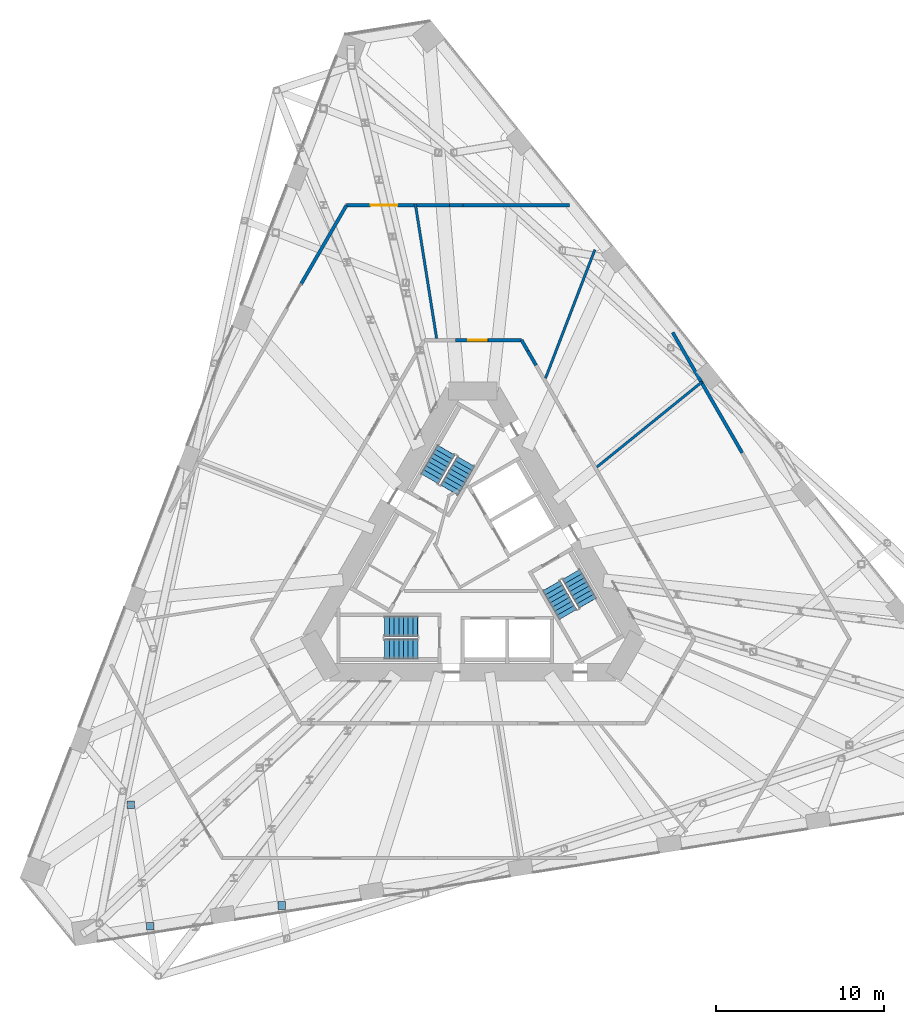
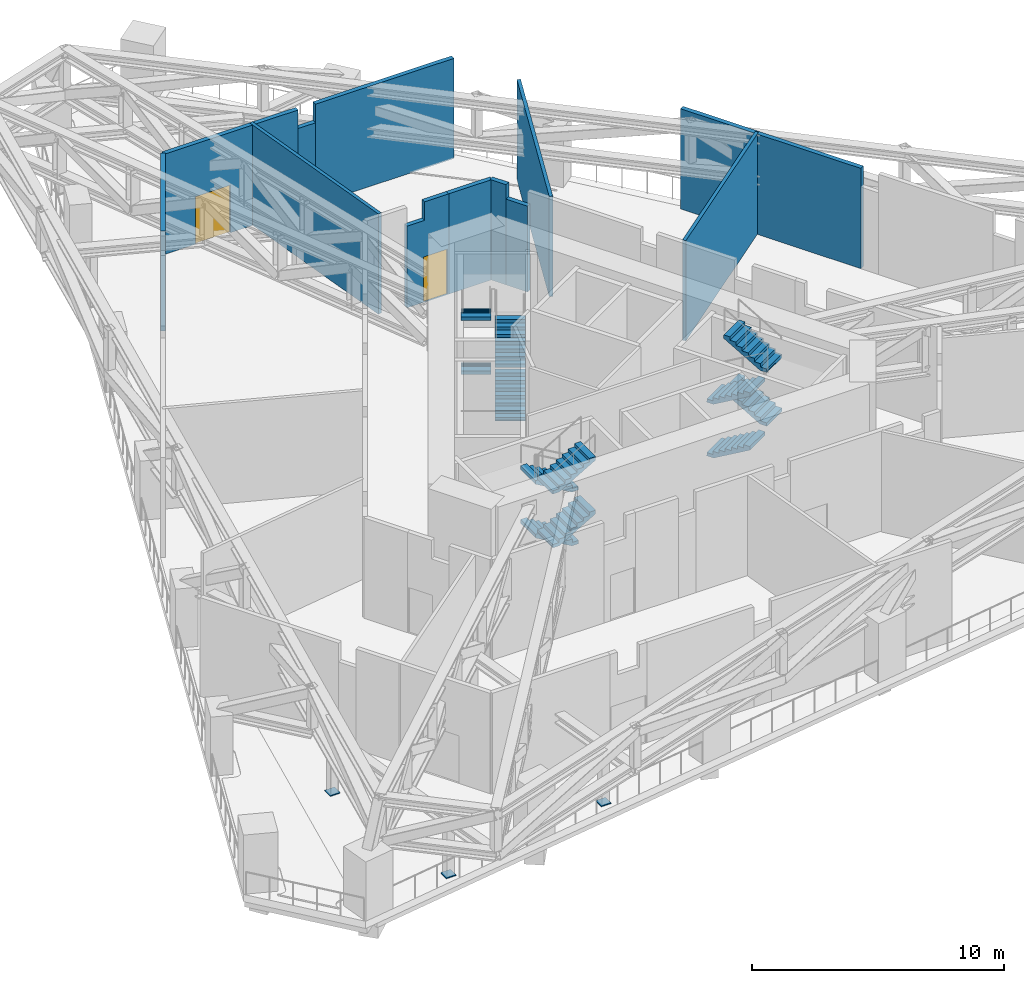
# One storey, part 13 of 20: 12 stair flights, 12 walls, 3 discrete accessories, 2 doors, 2 openings, 3 elements without a shape of their own.
"""IFC4 building model written with IfcOpenShell, lengths in metres."""

import ifcopenshell
import ifcopenshell.guid

model = None  # the IFC model being written
_history = None  # IfcOwnerHistory: only IFC2X3 demands one
_inside = {}  # id of a spatial element -> (the spatial element, [elements in it])
_under = {}  # id of a project, library or spatial element -> (it, [spatial elements below it])
_declared = {}  # id of a project -> (the project, [libraries it declares])
_typed = {}  # id of a type object -> (the type object, [elements of that type])
_made_of = {}  # id of a material, layer set ... -> (it, [elements and type objects made of it])


def new_model(schema):
    """Start an empty IFC model of exactly this schema.

    Asked for "IFC4X3", IfcOpenShell would pick the latest addendum, in which some entities
    have other attributes; the version numbers below select the first issue.
    IFC2X3 requires an IfcOwnerHistory on every rooted entity: one is made here for all.
    """
    global model, _history
    if schema == "IFC4X3":
        model = ifcopenshell.file(schema_version=(4, 3, 0, 0))
    else:
        model = ifcopenshell.file(schema=schema)
    _inside.clear()
    _under.clear()
    _declared.clear()
    _typed.clear()
    _made_of.clear()
    _history = None
    if model.schema == "IFC2X3":
        org = make("IfcOrganization", Name="unknown")
        user = make(
            "IfcPersonAndOrganization",
            ThePerson=make("IfcPerson", FamilyName="unknown"),
            TheOrganization=org,
        )
        app = make(
            "IfcApplication",
            ApplicationDeveloper=org,
            Version="unknown",
            ApplicationFullName="unknown",
            ApplicationIdentifier="unknown",
        )
        _history = make(
            "IfcOwnerHistory",
            OwningUser=user,
            OwningApplication=app,
            ChangeAction="ADDED",
            CreationDate=0,
        )
    return model


def make(cls, **values):
    """One entity of the class cls with the attributes given. An attribute that is None is left unset."""
    return model.create_entity(
        cls, **{name: value for name, value in values.items() if value is not None}
    )


def rooted(cls, **values):
    """An entity with a GlobalId (a new one), such as an element, a storey or a relation."""
    return make(cls, GlobalId=ifcopenshell.guid.new(), OwnerHistory=_history, **values)


def si_unit(unit_type, name, prefix=None):
    """IfcSIUnit, for example si_unit("LENGTHUNIT", "METRE", prefix="MILLI")."""
    return make("IfcSIUnit", UnitType=unit_type, Prefix=prefix, Name=name)


def assignment(units):
    """IfcUnitAssignment: the units of a project."""
    return None if units is None else make("IfcUnitAssignment", Units=units)


def point(xyz):
    """IfcCartesianPoint."""
    return None if xyz is None else make("IfcCartesianPoint", Coordinates=xyz)


def direction(xyz):
    """IfcDirection."""
    return None if xyz is None else make("IfcDirection", DirectionRatios=xyz)


def frame(location, z_axis=None, x_axis=None):
    """IfcAxis2Placement3D, a coordinate frame: its origin and axes. An axis left out is left unset."""
    return make(
        "IfcAxis2Placement3D",
        Location=point(location),
        Axis=direction(z_axis),
        RefDirection=direction(x_axis),
    )


def frame_2d(location, x_axis=None):
    """IfcAxis2Placement2D, a coordinate frame in the plane: its origin and x axis."""
    return make(
        "IfcAxis2Placement2D", Location=point(location), RefDirection=direction(x_axis)
    )


def origin():
    """The frame at (0, 0, 0) with its axes left unset."""
    return frame((0.0, 0.0, 0.0))


def origin_2d():
    """The frame at (0, 0) in the plane with its x axis left unset."""
    return frame_2d((0.0, 0.0))


def place(relative_to, where):
    """IfcLocalPlacement: puts the frame where relative to a parent placement (None: the world)."""
    return make(
        "IfcLocalPlacement", PlacementRelTo=relative_to, RelativePlacement=where
    )


def context(
    kind, dimensions, precision=None, world=None, true_north=None, identifier=None
):
    """IfcGeometricRepresentationContext, for example the 3D "Model" context."""
    return make(
        "IfcGeometricRepresentationContext",
        ContextIdentifier=identifier,
        ContextType=kind,
        CoordinateSpaceDimension=dimensions,
        Precision=precision,
        WorldCoordinateSystem=world,
        TrueNorth=true_north,
    )


def subcontext(parent, identifier, kind, view, scale=None):
    """IfcGeometricRepresentationSubContext, for example "Body" below "Model"."""
    return make(
        "IfcGeometricRepresentationSubContext",
        ContextIdentifier=identifier,
        ContextType=kind,
        ParentContext=parent,
        TargetScale=scale,
        TargetView=view,
    )


def project(units=None, contexts=None):
    """IfcProject with its units and contexts."""
    return rooted(
        "IfcProject",
        Name="project",
        RepresentationContexts=contexts,
        UnitsInContext=assignment(units),
    )


def spatial(cls, under=None, at=None, **own):
    """A site, building, storey or space (cls), placed at a placement, below another one or the project."""
    s = rooted(cls, ObjectPlacement=at, **own)
    if under is not None:
        _under.setdefault(under.id(), (under, []))[1].append(s)
    return s


def polyline(points):
    """IfcPolyline through the points."""
    return make("IfcPolyline", Points=[point(p) for p in points])


def profile(cls, at=None, kind="AREA", **sizes):
    """A parametric profile (cls). Its sizes go by their IFC names, for example OverallWidth=200.0."""
    return make(cls, ProfileType=kind, Position=at, **sizes)


def rectangle(**sizes):
    """IfcRectangleProfileDef."""
    return profile("IfcRectangleProfileDef", **sizes)


def outline(outer, holes=None, kind="AREA"):
    """IfcArbitraryClosedProfileDef: a profile drawn as a closed curve; with holes, ...WithVoids."""
    if holes is None:
        return make("IfcArbitraryClosedProfileDef", ProfileType=kind, OuterCurve=outer)
    return make(
        "IfcArbitraryProfileDefWithVoids",
        ProfileType=kind,
        OuterCurve=outer,
        InnerCurves=holes,
    )


def extrude(swept, where, along, depth):
    """IfcExtrudedAreaSolid: the profile swept, set in the frame where, extruded along a direction by depth."""
    return make(
        "IfcExtrudedAreaSolid",
        SweptArea=swept,
        Position=where,
        ExtrudedDirection=direction(along),
        Depth=depth,
    )


def shape(context_of_items, identifier, shape_type, items):
    """IfcShapeRepresentation: the items that make up one representation, for example the "Body"."""
    return make(
        "IfcShapeRepresentation",
        ContextOfItems=context_of_items,
        RepresentationIdentifier=identifier,
        RepresentationType=shape_type,
        Items=items,
    )


def material(Name=None, Category=None):
    """IfcMaterial."""
    return make("IfcMaterial", Name=Name, Category=Category)


def layer(
    of_material, thickness, ventilated=None, Name=None, Category=None, Priority=None
):
    """IfcMaterialLayer: one layer of a wall or slab, of a material (None: an air gap)."""
    return make(
        "IfcMaterialLayer",
        Material=of_material,
        LayerThickness=thickness,
        IsVentilated=ventilated,
        Name=Name,
        Category=Category,
        Priority=Priority,
    )


def layer_set(layers, Name=None):
    """IfcMaterialLayerSet."""
    return make("IfcMaterialLayerSet", MaterialLayers=layers, LayerSetName=Name)


def made_of(thing, what):
    """Note that an element or type object is made of a material, layer set ...; save() writes the relation."""
    if what is not None:
        _made_of.setdefault(what.id(), (what, []))[1].append(thing)
    return thing


def type_object(cls, material=None, **own):
    """A type object (cls), such as IfcWallType, which elements share."""
    return made_of(rooted(cls, **own), material)


def element(
    cls,
    number,
    at=None,
    inside=None,
    cuts=None,
    type_object=None,
    material=None,
    context=None,
    identifier="Body",
    shape_type=None,
    held_by="IfcProductDefinitionShape",
    body=None,
    shapes=None,
    **own,
):
    """One element of the class cls, such as IfcWall. Its Tag is "e" and its number.

    at: its placement. inside: the storey or other place that contains it. cuts: it is an
    opening in that element (IfcRelVoidsElement). A single representation is given by context,
    identifier, shape_type and body (its items); several are given by shapes. held_by: the class
    of the entity that holds the representations. save() writes the other relations.
    """
    e = rooted(cls, Tag="e%d" % number, ObjectPlacement=at, **own)
    if body is not None:
        shapes = [shape(context, identifier, shape_type, body)]
    if shapes is not None:
        e.Representation = make(held_by, Representations=shapes)
    if inside is not None:
        _inside.setdefault(inside.id(), (inside, []))[1].append(e)
    if cuts is not None:
        rooted(
            "IfcRelVoidsElement", RelatingBuildingElement=cuts, RelatedOpeningElement=e
        )
    if type_object is not None:
        _typed.setdefault(type_object.id(), (type_object, []))[1].append(e)
    return made_of(e, material)


def fill(opening, filler):
    """IfcRelFillsElement: the door or window that sits in an opening."""
    return rooted(
        "IfcRelFillsElement",
        RelatingOpeningElement=opening,
        RelatedBuildingElement=filler,
    )


def aggregate(whole, parts):
    """IfcRelAggregates: a whole, such as a stair, and the parts it consists of."""
    return rooted("IfcRelAggregates", RelatingObject=whole, RelatedObjects=parts)


def save(model, path):
    """Write the relations noted so far, then the file.

    IfcRelAggregates (storeys below a building ...), IfcRelContainedInSpatialStructure (elements
    in a storey), IfcRelDefinesByType, IfcRelAssociatesMaterial and IfcRelDeclares: one each for
    every whole, place, type object, material and project.
    """
    for whole, parts in _under.values():
        aggregate(whole, parts)
    for where, things in _inside.values():
        rooted(
            "IfcRelContainedInSpatialStructure",
            RelatedElements=things,
            RelatingStructure=where,
        )
    for kind, things in _typed.values():
        rooted("IfcRelDefinesByType", RelatedObjects=things, RelatingType=kind)
    for what, things in _made_of.values():
        rooted("IfcRelAssociatesMaterial", RelatedObjects=things, RelatingMaterial=what)
    for by, libraries in _declared.values():
        rooted("IfcRelDeclares", RelatingContext=by, RelatedDefinitions=libraries)
    model.write(path)


model = new_model("IFC4")

# Units and contexts
model_context = context("Model", 3, precision=1e-05, world=origin(), true_north=direction((0.0, 1.0)))
body_context = subcontext(model_context, "Body", "Model", "MODEL_VIEW")
ifc_project = project(units=[si_unit("LENGTHUNIT", "METRE"), si_unit("AREAUNIT", "SQUARE_METRE"), si_unit("VOLUMEUNIT", "CUBIC_METRE"), si_unit("PLANEANGLEUNIT", "RADIAN"), si_unit("MASSUNIT", "GRAM", prefix="KILO")], contexts=[model_context])

# Site, building, storey
site_placement = place(None, origin())
site = spatial("IfcSite", under=ifc_project, at=site_placement, CompositionType="ELEMENT")
building_placement = place(site_placement, origin())
building = spatial("IfcBuilding", under=site, at=building_placement, Name="Tramontana Tower", CompositionType="ELEMENT")
storey_placement = place(building_placement, frame((0.0, 0.0, 83.199951171875)))
storey = spatial("IfcBuildingStorey", under=building, at=storey_placement, Name="L18", CompositionType="ELEMENT", Elevation=83.199951171875)

# Walls
ifc_material_1 = material(Name="Blockwork", Category="masonry")
ifc_layer_1 = layer(ifc_material_1, 0.199951171875)
ifc_layer_set_1 = layer_set([ifc_layer_1], Name="ENCLOSURE WALL 200")
wall_type_1 = type_object("IfcWallType", Name="ENCLOSURE WALL 200", PredefinedType="SOLIDWALL", material=ifc_layer_set_1)
wall_1_placement = place(storey_placement, frame((11.863037109375, 13.95263671875, 0.0), z_axis=(0.0, 0.0, 1.0), x_axis=(0.500010949126, -0.866019082211, 0.0)))
element("IfcWall", 1, at=wall_1_placement, inside=storey, type_object=wall_type_1, Name="Wall enc0-0", PredefinedType="SOLIDWALL", context=body_context, shape_type="SweptSolid", body=[
    extrude(rectangle(XDim=8.253173828125, YDim=0.199951171875, at=frame_2d((4.12646484375, 0.0))), origin(), (0.0, 0.0, 1.0), 4.85009765625),
])
wall_2_placement = place(storey_placement, frame((-10.193603515625, 16.843994140625, 0.0), z_axis=(0.0, 0.0, 1.0), x_axis=(0.499977964579, 0.866038125567, 0.0)))
element("IfcWall", 2, at=wall_2_placement, inside=storey, type_object=wall_type_1, Name="Wall enc4-4", PredefinedType="SOLIDWALL", context=body_context, shape_type="SweptSolid", body=[
    extrude(rectangle(XDim=5.376220703125, YDim=0.199951171875, at=frame_2d((2.68798828125, 0.0))), origin(), (0.0, 0.0, 1.0), 4.85009765625),
])

# Wall, opening, door
wall_3_placement = place(storey_placement, frame((-7.505615234375, 21.5, 0.0), z_axis=(0.0, 0.0, 1.0), x_axis=(1.0, 0.0, 0.0)))
wall_3 = element("IfcWall", 3, at=wall_3_placement, inside=storey, type_object=wall_type_1, Name="Wall enc5-0", PredefinedType="SOLIDWALL", context=body_context, shape_type="SweptSolid", body=[
    extrude(rectangle(XDim=6.120361328125, YDim=0.199951171875, at=frame_2d((3.06005859375, 0.0))), origin(), (0.0, 0.0, 1.0), 4.85009765625),
])
opening_1_placement = place(wall_3_placement, frame((1.42724609375, 0.0, 0.0)))
opening_1 = element("IfcOpeningElement", 4, at=opening_1_placement, cuts=wall_3, Name="Opening L18-11", PredefinedType="OPENING", context=body_context, shape_type="SweptSolid", body=[
    extrude(rectangle(XDim=1.60009765625, YDim=2.300048828125, at=frame_2d((0.800048828125, 1.14990234375))), frame((0.0, 0.10986328125, 0.0), z_axis=(0.0, -1.0, 0.0), x_axis=(1.0, 0.0, 0.0)), (0.0, 0.0, 1.0), 0.219970703125),
])
ifc_material_2 = material(Name="Painted timber", Category="wood")
door_type_1 = type_object("IfcDoorType", Name="DOOR WIDE 1600", OperationType="SINGLE_SWING_LEFT", PredefinedType="DOOR", material=ifc_material_2)
door_1_placement = place(opening_1_placement, origin())
door_1 = element("IfcDoor", 5, at=door_1_placement, inside=storey, type_object=door_type_1, Name="Door L18-11", OperationType="DOUBLE_DOOR_SINGLE_SWING", OverallHeight=2.300048828125, OverallWidth=1.60009765625, PredefinedType="DOOR", context=body_context, shape_type="SweptSolid", body=[
    extrude(rectangle(XDim=1.60009765625, YDim=2.300048828125, at=frame_2d((0.800048828125, 1.14990234375))), frame((0.0, 0.02490234375, 0.0), z_axis=(0.0, -1.0, 0.0), x_axis=(1.0, 0.0, 0.0)), (0.0, 0.0, 1.0), 0.050048828125),
])
fill(opening_1, door_1)

# Walls
wall_4_placement = place(storey_placement, frame((-1.38525390625, 21.5, 0.0), z_axis=(0.0, 0.0, 1.0), x_axis=(1.0, 0.0, 0.0)))
element("IfcWall", 6, at=wall_4_placement, inside=storey, type_object=wall_type_1, Name="Wall enc5-1", PredefinedType="SOLIDWALL", context=body_context, shape_type="SweptSolid", body=[
    extrude(rectangle(XDim=0.80078125, YDim=0.199951171875, at=frame_2d((0.400390625, 0.0))), origin(), (0.0, 0.0, 1.0), 3.949951171875),
])
wall_5_placement = place(storey_placement, frame((-0.58447265625, 21.5, 0.0), z_axis=(0.0, 0.0, 1.0), x_axis=(1.0, 0.0, 0.0)))
element("IfcWall", 7, at=wall_5_placement, inside=storey, type_object=wall_type_1, Name="Wall enc5-2", PredefinedType="SOLIDWALL", context=body_context, shape_type="SweptSolid", body=[
    extrude(rectangle(XDim=6.335693359375, YDim=0.199951171875, at=frame_2d((3.16796875, 0.0))), origin(), (0.0, 0.0, 1.0), 4.85009765625),
])
ifc_material_3 = material(Name="Blockwork", Category="masonry")
ifc_layer_2 = layer(ifc_material_3, 0.199951171875)
ifc_layer_set_2 = layer_set([ifc_layer_2], Name="ENTRY WALL 200")
wall_type_2 = type_object("IfcWallType", Name="ENTRY WALL 200", PredefinedType="SOLIDWALL", material=ifc_layer_set_2)
wall_6_placement = place(storey_placement, frame((2.88671875, 13.5, 0.0), z_axis=(0.0, 0.0, 1.0), x_axis=(0.499987686533, -0.866032512851, 0.0)))
element("IfcWall", 8, at=wall_6_placement, inside=storey, type_object=wall_type_2, Name="Wall ew0-0", PredefinedType="SOLIDWALL", context=body_context, shape_type="SweptSolid", body=[
    extrude(rectangle(XDim=0.74365234375, YDim=0.199951171875, at=frame_2d((0.371826171875, 0.0))), origin(), (0.0, 0.0, 1.0), 4.85009765625),
])
wall_7_placement = place(storey_placement, frame((3.258544921875, 12.85595703125, 0.0), z_axis=(0.0, 0.0, 1.0), x_axis=(0.500061185694, -0.865990075325, 0.0)))
element("IfcWall", 9, at=wall_7_placement, inside=storey, type_object=wall_type_2, Name="Wall ew0-1", PredefinedType="SOLIDWALL", context=body_context, shape_type="SweptSolid", body=[
    extrude(rectangle(XDim=0.9775390625, YDim=0.199951171875, at=frame_2d((0.48876953125, 0.0))), origin(), (0.0, 0.0, 1.0), 4.150146484375),
])

# Wall, opening, door
wall_8_placement = place(storey_placement, frame((-1.018798828125, 13.5, 0.0), z_axis=(0.0, 0.0, 1.0), x_axis=(1.0, 0.0, 0.0)))
wall_8 = element("IfcWall", 10, at=wall_8_placement, inside=storey, type_object=wall_type_2, Name="Wall ew5-1", PredefinedType="SOLIDWALL", context=body_context, shape_type="SweptSolid", body=[
    extrude(outline(polyline([(0.0, 0.0), (1.904296875, 0.0), (1.904541015625, 4.85009765625), (0.80078125, 4.85009765625), (0.80078125, 3.949951171875), (0.0, 3.949951171875), (0.0, 0.0)])), frame((0.0, 0.10009765625, 0.0), z_axis=(0.0, -1.0, 0.0), x_axis=(1.0, 0.0, 0.0)), (0.0, 0.0, 1.0), 0.199951171875),
])
opening_2_placement = place(wall_8_placement, frame((0.75439453125, 0.0, 0.0)))
opening_2 = element("IfcOpeningElement", 11, at=opening_2_placement, cuts=wall_8, Name="Opening L18-09", PredefinedType="OPENING", context=body_context, shape_type="SweptSolid", body=[
    extrude(rectangle(XDim=1.10009765625, YDim=2.199951171875, at=frame_2d((0.550048828125, 1.10009765625))), frame((0.0, 0.10986328125, 0.0), z_axis=(0.0, -1.0, 0.0), x_axis=(1.0, 0.0, 0.0)), (0.0, 0.0, 1.0), 0.219970703125),
])
ifc_material_4 = material(Name="Painted steel", Category="steel")
door_type_2 = type_object("IfcDoorType", Name="PLANT DOOR 1100", OperationType="SINGLE_SWING_LEFT", PredefinedType="DOOR", material=ifc_material_4)
door_2_placement = place(opening_2_placement, origin())
door_2 = element("IfcDoor", 12, at=door_2_placement, inside=storey, type_object=door_type_2, Name="Door L18-09", OperationType="SINGLE_SWING_LEFT", OverallHeight=2.199951171875, OverallWidth=1.10009765625, PredefinedType="DOOR", context=body_context, shape_type="SweptSolid", body=[
    extrude(rectangle(XDim=1.10009765625, YDim=2.199951171875, at=frame_2d((0.550048828125, 1.10009765625))), frame((0.0, 0.02490234375, 0.0), z_axis=(0.0, -1.0, 0.0), x_axis=(1.0, 0.0, 0.0)), (0.0, 0.0, 1.0), 0.050048828125),
])
fill(opening_2, door_2)

# Walls
wall_9_placement = place(storey_placement, frame((0.885498046875, 13.5, 0.0), z_axis=(0.0, 0.0, 1.0), x_axis=(1.0, 0.0, 0.0)))
element("IfcWall", 13, at=wall_9_placement, inside=storey, type_object=wall_type_2, Name="Wall ew5-2", PredefinedType="SOLIDWALL", context=body_context, shape_type="SweptSolid", body=[
    extrude(rectangle(XDim=2.001220703125, YDim=0.199951171875, at=frame_2d((1.00048828125, 0.0))), origin(), (0.0, 0.0, 1.0), 4.85009765625),
])
ifc_material_5 = material(Name="Gypsum board partition")
ifc_layer_3 = layer(ifc_material_5, 0.14990234375)
ifc_layer_set_3 = layer_set([ifc_layer_3], Name="PARTITION 150")
wall_type_3 = type_object("IfcWallType", Name="PARTITION 150", PredefinedType="PARTITIONING", material=ifc_layer_set_3)
wall_10_placement = place(storey_placement, frame((-3.421142578125, 21.599853515625, 0.0), z_axis=(0.0, 0.0, 1.0), x_axis=(0.156440847234, -0.987687329734, 0.0)))
element("IfcWall", 14, at=wall_10_placement, inside=storey, type_object=wall_type_3, Name="Wall fw-pw03", PredefinedType="PARTITIONING", context=body_context, shape_type="SweptSolid", body=[
    extrude(rectangle(XDim=8.099365234375, YDim=0.14990234375, at=frame_2d((4.0498046875, 0.0))), origin(), (0.0, 0.0, 1.0), 4.85009765625),
])
wall_11_placement = place(storey_placement, frame((4.3115234375, 11.232177734375, 0.0), z_axis=(0.0, 0.0, 1.0), x_axis=(0.358390717166, 0.933571686508, 0.0)))
element("IfcWall", 15, at=wall_11_placement, inside=storey, type_object=wall_type_3, Name="Wall fw-pw05", PredefinedType="PARTITIONING", context=body_context, shape_type="SweptSolid", body=[
    extrude(rectangle(XDim=8.176025390625, YDim=0.14990234375, at=frame_2d((4.087890625, 0.0))), origin(), (0.0, 0.0, 1.0), 4.85009765625),
])
wall_12_placement = place(storey_placement, frame((7.35693359375, 5.95751953125, 0.0), z_axis=(0.0, 0.0, 1.0), x_axis=(0.777142948643, 0.629324111547, 0.0)))
element("IfcWall", 16, at=wall_12_placement, inside=storey, type_object=wall_type_3, Name="Wall fw-pw06", PredefinedType="PARTITIONING", context=body_context, shape_type="SweptSolid", body=[
    extrude(rectangle(XDim=8.033447265625, YDim=0.14990234375, at=frame_2d((4.0166015625, 0.0))), origin(), (0.0, 0.0, 1.0), 4.85009765625),
])

# Stair, stair flights
ifc_material_6 = material(Name="Concrete 40 MPa", Category="concrete")
stair_type = type_object("IfcStairType", Name="EXIT STAIR 32 RISERS", PredefinedType="HALF_TURN_STAIR", material=ifc_material_6)
stair_1_placement = place(storey_placement, origin())
stair_1 = element("IfcStair", 17, at=stair_1_placement, inside=storey, type_object=stair_type, Name="L18 Exit stair ST1", PredefinedType="HALF_TURN_STAIR")
ifc_material_7 = material(Name="Concrete 40 MPa", Category="concrete")
ifc_layer_4 = layer(ifc_material_7, 0.14990234375)
ifc_layer_set_4 = layer_set([ifc_layer_4], Name="EXIT STAIR FLIGHT")
stair_flight_type = type_object("IfcStairFlightType", Name="EXIT STAIR FLIGHT", PredefinedType="STRAIGHT", material=ifc_layer_set_4)
stair_flight_1_placement = place(storey_placement, frame((-1.39111328125, 4.590576171875, 0.0), z_axis=(0.0, 0.0, 1.0), x_axis=(0.5, 0.866025403784, 0.0)))
stair_flight_1 = element("IfcStairFlight", 18, at=stair_flight_1_placement, type_object=stair_flight_type, Name="ST1 flight 1", NumberOfRisers=8, NumberOfTreads=7, PredefinedType="STRAIGHT", RiserHeight=0.1625, TreadLength=0.28, context=body_context, shape_type="SweptSolid", body=[
    extrude(outline(polyline([(-0.006103515625, 0.0), (-0.006103515625, 0.0400390625), (0.0, 0.0400390625), (0.0, 0.16259765625), (0.280029296875, 0.16259765625), (0.280029296875, 0.324951171875), (0.56005859375, 0.324951171875), (0.56005859375, 0.487548828125), (0.840087890625, 0.487548828125), (0.840087890625, 0.64990234375), (1.1201171875, 0.64990234375), (1.1201171875, 0.8125), (1.39990234375, 0.8125), (1.39990234375, 0.97509765625), (1.679931640625, 0.97509765625), (1.679931640625, 1.137451171875), (1.9599609375, 1.137451171875), (1.966064453125, 1.137451171875), (1.966064453125, 0.964111328125), (0.3046875, 0.0), (-0.006103515625, 0.0)])), frame((0.0, 0.60009765625, 0.0), z_axis=(0.0, -1.0, 0.0), x_axis=(1.0, 0.0, 0.0)), (0.0, 0.0, 1.0), 1.199951171875),
])
stair_flight_2_placement = place(storey_placement, frame((-1.580322265625, 6.962890625, 1.300048828125), z_axis=(0.0, 0.0, 1.0), x_axis=(-0.5, -0.866025403784, 0.0)))
stair_flight_2 = element("IfcStairFlight", 19, at=stair_flight_2_placement, type_object=stair_flight_type, Name="ST1 flight 2", NumberOfRisers=8, NumberOfTreads=7, PredefinedType="STRAIGHT", RiserHeight=0.1625, TreadLength=0.28, context=body_context, shape_type="SweptSolid", body=[
    extrude(outline(polyline([(-0.006103515625, 0.0), (-0.006103515625, 0.0400390625), (0.0, 0.0400390625), (0.0, 0.16259765625), (0.280029296875, 0.16259765625), (0.280029296875, 0.324951171875), (0.56005859375, 0.324951171875), (0.56005859375, 0.487548828125), (0.840087890625, 0.487548828125), (0.840087890625, 0.64990234375), (1.1201171875, 0.64990234375), (1.1201171875, 0.8125), (1.39990234375, 0.8125), (1.39990234375, 0.97509765625), (1.679931640625, 0.97509765625), (1.679931640625, 1.137451171875), (1.9599609375, 1.137451171875), (1.966064453125, 1.137451171875), (1.966064453125, 0.964111328125), (0.3046875, 0.0), (-0.006103515625, 0.0)])), frame((0.0, 0.60009765625, 0.0), z_axis=(0.0, -1.0, 0.0), x_axis=(1.0, 0.0, 0.0)), (0.0, 0.0, 1.0), 1.199951171875),
])
stair_flight_3_placement = place(storey_placement, frame((-1.39111328125, 4.590576171875, 2.60009765625), z_axis=(0.0, 0.0, 1.0), x_axis=(0.5, 0.866025403784, 0.0)))
stair_flight_3 = element("IfcStairFlight", 20, at=stair_flight_3_placement, type_object=stair_flight_type, Name="ST1 flight 3", NumberOfRisers=8, NumberOfTreads=7, PredefinedType="STRAIGHT", RiserHeight=0.1625, TreadLength=0.28, context=body_context, shape_type="SweptSolid", body=[
    extrude(outline(polyline([(-0.006103515625, 0.0), (-0.006103515625, 0.0400390625), (0.0, 0.0400390625), (0.0, 0.16259765625), (0.280029296875, 0.16259765625), (0.280029296875, 0.324951171875), (0.56005859375, 0.324951171875), (0.56005859375, 0.487548828125), (0.840087890625, 0.487548828125), (0.840087890625, 0.64990234375), (1.1201171875, 0.64990234375), (1.1201171875, 0.8125), (1.39990234375, 0.8125), (1.39990234375, 0.97509765625), (1.679931640625, 0.97509765625), (1.679931640625, 1.137451171875), (1.9599609375, 1.137451171875), (1.966064453125, 1.137451171875), (1.966064453125, 0.964111328125), (0.3046875, 0.0), (-0.006103515625, 0.0)])), frame((0.0, 0.60009765625, 0.0), z_axis=(0.0, -1.0, 0.0), x_axis=(1.0, 0.0, 0.0)), (0.0, 0.0, 1.0), 1.199951171875),
])
stair_flight_4_placement = place(storey_placement, frame((-1.580322265625, 6.962890625, 3.900146484375), z_axis=(0.0, 0.0, 1.0), x_axis=(-0.5, -0.866025403784, 0.0)))
stair_flight_4 = element("IfcStairFlight", 21, at=stair_flight_4_placement, type_object=stair_flight_type, Name="ST1 flight 4", NumberOfRisers=8, NumberOfTreads=7, PredefinedType="STRAIGHT", RiserHeight=0.1625, TreadLength=0.28, context=body_context, shape_type="SweptSolid", body=[
    extrude(outline(polyline([(-0.006103515625, 0.0), (-0.006103515625, 0.0400390625), (0.0, 0.0400390625), (0.0, 0.16259765625), (0.280029296875, 0.16259765625), (0.280029296875, 0.324951171875), (0.56005859375, 0.324951171875), (0.56005859375, 0.487548828125), (0.840087890625, 0.487548828125), (0.840087890625, 0.64990234375), (1.1201171875, 0.64990234375), (1.1201171875, 0.8125), (1.39990234375, 0.8125), (1.39990234375, 0.97509765625), (1.679931640625, 0.97509765625), (1.679931640625, 1.137451171875), (1.9599609375, 1.137451171875), (1.966064453125, 1.137451171875), (1.966064453125, 0.964111328125), (0.3046875, 0.0), (-0.006103515625, 0.0)])), frame((0.0, 0.60009765625, 0.0), z_axis=(0.0, -1.0, 0.0), x_axis=(1.0, 0.0, 0.0)), (0.0, 0.0, 1.0), 1.199951171875),
])
aggregate(stair_1, [stair_flight_1, stair_flight_2, stair_flight_3, stair_flight_4])

stair_2_placement = place(storey_placement, origin())
stair_2 = element("IfcStair", 22, at=stair_2_placement, inside=storey, type_object=stair_type, Name="L18 Exit stair ST2", PredefinedType="HALF_TURN_STAIR")
stair_flight_5_placement = place(storey_placement, frame((-3.280029296875, -3.5, 0.0), z_axis=(0.0, 0.0, 1.0), x_axis=(-1.0, 0.0, 0.0)))
stair_flight_5 = element("IfcStairFlight", 23, at=stair_flight_5_placement, type_object=stair_flight_type, Name="ST2 flight 1", NumberOfRisers=8, NumberOfTreads=7, PredefinedType="STRAIGHT", RiserHeight=0.1625, TreadLength=0.28, context=body_context, shape_type="SweptSolid", body=[
    extrude(outline(polyline([(-0.006103515625, 0.0), (-0.006103515625, 0.0400390625), (0.0, 0.0400390625), (0.0, 0.16259765625), (0.280029296875, 0.16259765625), (0.280029296875, 0.324951171875), (0.56005859375, 0.324951171875), (0.56005859375, 0.487548828125), (0.840087890625, 0.487548828125), (0.840087890625, 0.64990234375), (1.1201171875, 0.64990234375), (1.1201171875, 0.8125), (1.39990234375, 0.8125), (1.39990234375, 0.97509765625), (1.679931640625, 0.97509765625), (1.679931640625, 1.137451171875), (1.9599609375, 1.137451171875), (1.966064453125, 1.137451171875), (1.966064453125, 0.964111328125), (0.3046875, 0.0), (-0.006103515625, 0.0)])), frame((0.0, 0.60009765625, 0.0), z_axis=(0.0, -1.0, 0.0), x_axis=(1.0, 0.0, 0.0)), (0.0, 0.0, 1.0), 1.199951171875),
])
stair_flight_6_placement = place(storey_placement, frame((-5.239990234375, -4.85009765625, 1.300048828125), z_axis=(0.0, 0.0, 1.0), x_axis=(1.0, 0.0, 0.0)))
stair_flight_6 = element("IfcStairFlight", 24, at=stair_flight_6_placement, type_object=stair_flight_type, Name="ST2 flight 2", NumberOfRisers=8, NumberOfTreads=7, PredefinedType="STRAIGHT", RiserHeight=0.1625, TreadLength=0.28, context=body_context, shape_type="SweptSolid", body=[
    extrude(outline(polyline([(-0.006103515625, 0.0), (-0.006103515625, 0.0400390625), (0.0, 0.0400390625), (0.0, 0.16259765625), (0.280029296875, 0.16259765625), (0.280029296875, 0.324951171875), (0.56005859375, 0.324951171875), (0.56005859375, 0.487548828125), (0.840087890625, 0.487548828125), (0.840087890625, 0.64990234375), (1.1201171875, 0.64990234375), (1.1201171875, 0.8125), (1.39990234375, 0.8125), (1.39990234375, 0.97509765625), (1.679931640625, 0.97509765625), (1.679931640625, 1.137451171875), (1.9599609375, 1.137451171875), (1.966064453125, 1.137451171875), (1.966064453125, 0.964111328125), (0.3046875, 0.0), (-0.006103515625, 0.0)])), frame((0.0, 0.60009765625, 0.0), z_axis=(0.0, -1.0, 0.0), x_axis=(1.0, 0.0, 0.0)), (0.0, 0.0, 1.0), 1.199951171875),
])
stair_flight_7_placement = place(storey_placement, frame((-3.280029296875, -3.5, 2.60009765625), z_axis=(0.0, 0.0, 1.0), x_axis=(-1.0, 0.0, 0.0)))
stair_flight_7 = element("IfcStairFlight", 25, at=stair_flight_7_placement, type_object=stair_flight_type, Name="ST2 flight 3", NumberOfRisers=8, NumberOfTreads=7, PredefinedType="STRAIGHT", RiserHeight=0.1625, TreadLength=0.28, context=body_context, shape_type="SweptSolid", body=[
    extrude(outline(polyline([(-0.006103515625, 0.0), (-0.006103515625, 0.0400390625), (0.0, 0.0400390625), (0.0, 0.16259765625), (0.280029296875, 0.16259765625), (0.280029296875, 0.324951171875), (0.56005859375, 0.324951171875), (0.56005859375, 0.487548828125), (0.840087890625, 0.487548828125), (0.840087890625, 0.64990234375), (1.1201171875, 0.64990234375), (1.1201171875, 0.8125), (1.39990234375, 0.8125), (1.39990234375, 0.97509765625), (1.679931640625, 0.97509765625), (1.679931640625, 1.137451171875), (1.9599609375, 1.137451171875), (1.966064453125, 1.137451171875), (1.966064453125, 0.964111328125), (0.3046875, 0.0), (-0.006103515625, 0.0)])), frame((0.0, 0.60009765625, 0.0), z_axis=(0.0, -1.0, 0.0), x_axis=(1.0, 0.0, 0.0)), (0.0, 0.0, 1.0), 1.199951171875),
])
stair_flight_8_placement = place(storey_placement, frame((-5.239990234375, -4.85009765625, 3.900146484375), z_axis=(0.0, 0.0, 1.0), x_axis=(1.0, 0.0, 0.0)))
stair_flight_8 = element("IfcStairFlight", 26, at=stair_flight_8_placement, type_object=stair_flight_type, Name="ST2 flight 4", NumberOfRisers=8, NumberOfTreads=7, PredefinedType="STRAIGHT", RiserHeight=0.1625, TreadLength=0.28, context=body_context, shape_type="SweptSolid", body=[
    extrude(outline(polyline([(-0.006103515625, 0.0), (-0.006103515625, 0.0400390625), (0.0, 0.0400390625), (0.0, 0.16259765625), (0.280029296875, 0.16259765625), (0.280029296875, 0.324951171875), (0.56005859375, 0.324951171875), (0.56005859375, 0.487548828125), (0.840087890625, 0.487548828125), (0.840087890625, 0.64990234375), (1.1201171875, 0.64990234375), (1.1201171875, 0.8125), (1.39990234375, 0.8125), (1.39990234375, 0.97509765625), (1.679931640625, 0.97509765625), (1.679931640625, 1.137451171875), (1.9599609375, 1.137451171875), (1.966064453125, 1.137451171875), (1.966064453125, 0.964111328125), (0.3046875, 0.0), (-0.006103515625, 0.0)])), frame((0.0, 0.60009765625, 0.0), z_axis=(0.0, -1.0, 0.0), x_axis=(1.0, 0.0, 0.0)), (0.0, 0.0, 1.0), 1.199951171875),
])
aggregate(stair_2, [stair_flight_5, stair_flight_6, stair_flight_7, stair_flight_8])

stair_3_placement = place(storey_placement, origin())
stair_3 = element("IfcStair", 27, at=stair_3_placement, inside=storey, type_object=stair_type, Name="L18 Exit stair ST3", PredefinedType="HALF_TURN_STAIR")
stair_flight_9_placement = place(storey_placement, frame((4.671142578125, -1.090576171875, 0.0), z_axis=(0.0, 0.0, 1.0), x_axis=(0.5, -0.866025403784, 0.0)))
stair_flight_9 = element("IfcStairFlight", 28, at=stair_flight_9_placement, type_object=stair_flight_type, Name="ST3 flight 1", NumberOfRisers=8, NumberOfTreads=7, PredefinedType="STRAIGHT", RiserHeight=0.1625, TreadLength=0.28, context=body_context, shape_type="SweptSolid", body=[
    extrude(outline(polyline([(-0.006103515625, 0.0), (-0.006103515625, 0.0400390625), (0.0, 0.0400390625), (0.0, 0.16259765625), (0.280029296875, 0.16259765625), (0.280029296875, 0.324951171875), (0.56005859375, 0.324951171875), (0.56005859375, 0.487548828125), (0.840087890625, 0.487548828125), (0.840087890625, 0.64990234375), (1.1201171875, 0.64990234375), (1.1201171875, 0.8125), (1.39990234375, 0.8125), (1.39990234375, 0.97509765625), (1.679931640625, 0.97509765625), (1.679931640625, 1.137451171875), (1.9599609375, 1.137451171875), (1.966064453125, 1.137451171875), (1.966064453125, 0.964111328125), (0.3046875, 0.0), (-0.006103515625, 0.0)])), frame((0.0, 0.60009765625, 0.0), z_axis=(0.0, -1.0, 0.0), x_axis=(1.0, 0.0, 0.0)), (0.0, 0.0, 1.0), 1.199951171875),
])
stair_flight_10_placement = place(storey_placement, frame((6.8203125, -2.113037109375, 1.300048828125), z_axis=(0.0, 0.0, 1.0), x_axis=(-0.5, 0.866025403784, 0.0)))
stair_flight_10 = element("IfcStairFlight", 29, at=stair_flight_10_placement, type_object=stair_flight_type, Name="ST3 flight 2", NumberOfRisers=8, NumberOfTreads=7, PredefinedType="STRAIGHT", RiserHeight=0.1625, TreadLength=0.28, context=body_context, shape_type="SweptSolid", body=[
    extrude(outline(polyline([(-0.006103515625, 0.0), (-0.006103515625, 0.0400390625), (0.0, 0.0400390625), (0.0, 0.16259765625), (0.280029296875, 0.16259765625), (0.280029296875, 0.324951171875), (0.56005859375, 0.324951171875), (0.56005859375, 0.487548828125), (0.840087890625, 0.487548828125), (0.840087890625, 0.64990234375), (1.1201171875, 0.64990234375), (1.1201171875, 0.8125), (1.39990234375, 0.8125), (1.39990234375, 0.97509765625), (1.679931640625, 0.97509765625), (1.679931640625, 1.137451171875), (1.9599609375, 1.137451171875), (1.966064453125, 1.137451171875), (1.966064453125, 0.964111328125), (0.3046875, 0.0), (-0.006103515625, 0.0)])), frame((0.0, 0.60009765625, 0.0), z_axis=(0.0, -1.0, 0.0), x_axis=(1.0, 0.0, 0.0)), (0.0, 0.0, 1.0), 1.199951171875),
])
stair_flight_11_placement = place(storey_placement, frame((4.671142578125, -1.090576171875, 2.60009765625), z_axis=(0.0, 0.0, 1.0), x_axis=(0.5, -0.866025403784, 0.0)))
stair_flight_11 = element("IfcStairFlight", 30, at=stair_flight_11_placement, type_object=stair_flight_type, Name="ST3 flight 3", NumberOfRisers=8, NumberOfTreads=7, PredefinedType="STRAIGHT", RiserHeight=0.1625, TreadLength=0.28, context=body_context, shape_type="SweptSolid", body=[
    extrude(outline(polyline([(-0.006103515625, 0.0), (-0.006103515625, 0.0400390625), (0.0, 0.0400390625), (0.0, 0.16259765625), (0.280029296875, 0.16259765625), (0.280029296875, 0.324951171875), (0.56005859375, 0.324951171875), (0.56005859375, 0.487548828125), (0.840087890625, 0.487548828125), (0.840087890625, 0.64990234375), (1.1201171875, 0.64990234375), (1.1201171875, 0.8125), (1.39990234375, 0.8125), (1.39990234375, 0.97509765625), (1.679931640625, 0.97509765625), (1.679931640625, 1.137451171875), (1.9599609375, 1.137451171875), (1.966064453125, 1.137451171875), (1.966064453125, 0.964111328125), (0.3046875, 0.0), (-0.006103515625, 0.0)])), frame((0.0, 0.60009765625, 0.0), z_axis=(0.0, -1.0, 0.0), x_axis=(1.0, 0.0, 0.0)), (0.0, 0.0, 1.0), 1.199951171875),
])
stair_flight_12_placement = place(storey_placement, frame((6.8203125, -2.113037109375, 3.900146484375), z_axis=(0.0, 0.0, 1.0), x_axis=(-0.5, 0.866025403784, 0.0)))
stair_flight_12 = element("IfcStairFlight", 31, at=stair_flight_12_placement, type_object=stair_flight_type, Name="ST3 flight 4", NumberOfRisers=8, NumberOfTreads=7, PredefinedType="STRAIGHT", RiserHeight=0.1625, TreadLength=0.28, context=body_context, shape_type="SweptSolid", body=[
    extrude(outline(polyline([(-0.006103515625, 0.0), (-0.006103515625, 0.0400390625), (0.0, 0.0400390625), (0.0, 0.16259765625), (0.280029296875, 0.16259765625), (0.280029296875, 0.324951171875), (0.56005859375, 0.324951171875), (0.56005859375, 0.487548828125), (0.840087890625, 0.487548828125), (0.840087890625, 0.64990234375), (1.1201171875, 0.64990234375), (1.1201171875, 0.8125), (1.39990234375, 0.8125), (1.39990234375, 0.97509765625), (1.679931640625, 0.97509765625), (1.679931640625, 1.137451171875), (1.9599609375, 1.137451171875), (1.966064453125, 1.137451171875), (1.966064453125, 0.964111328125), (0.3046875, 0.0), (-0.006103515625, 0.0)])), frame((0.0, 0.60009765625, 0.0), z_axis=(0.0, -1.0, 0.0), x_axis=(1.0, 0.0, 0.0)), (0.0, 0.0, 1.0), 1.199951171875),
])
aggregate(stair_3, [stair_flight_9, stair_flight_10, stair_flight_11, stair_flight_12])

# Discrete accessories
ifc_material_8 = material(Name="Steel ASTM A572 Grade 50", Category="steel")
ifc_layer_5 = layer(ifc_material_8, 0.0400390625)
ifc_layer_set_5 = layer_set([ifc_layer_5], Name="Base plate 450X450X40")
discrete_accessory_type = type_object("IfcDiscreteAccessoryType", Name="Base plate 450X450X40", PredefinedType="ANCHORPLATE", material=ifc_layer_set_5)
for number, where, z_axis, x_axis, name in (
    (32, (-11.361328125, -20.074462890625, 0.0), (0.0, 0.0, 1.0), (1.0, 0.0, 0.0), "Transfer truss post base plate C2F06.1"),
    (33, (-19.16552734375, -21.310546875, 0.0), (0.0, 0.0, 1.0), (1.0, 0.0, 0.0), "Transfer truss post base plate C2K3.1"),
    (34, (-20.308837890625, -14.0908203125, 0.0), (0.0, 0.0, 1.0), (1.0, 0.0, 0.0), "Transfer truss post base plate C2K3.2"),
):
    element("IfcDiscreteAccessory", number, at=place(storey_placement, frame(where, z_axis=z_axis, x_axis=x_axis)), inside=storey, type_object=discrete_accessory_type, Name=name, PredefinedType="ANCHORPLATE", context=body_context, shape_type="SweptSolid", body=[
        extrude(rectangle(XDim=0.449951171875, YDim=0.449951171875, at=origin_2d()), origin(), (0.0, 0.0, 1.0), 0.0400390625),
    ])

save(model, "model.ifc")
